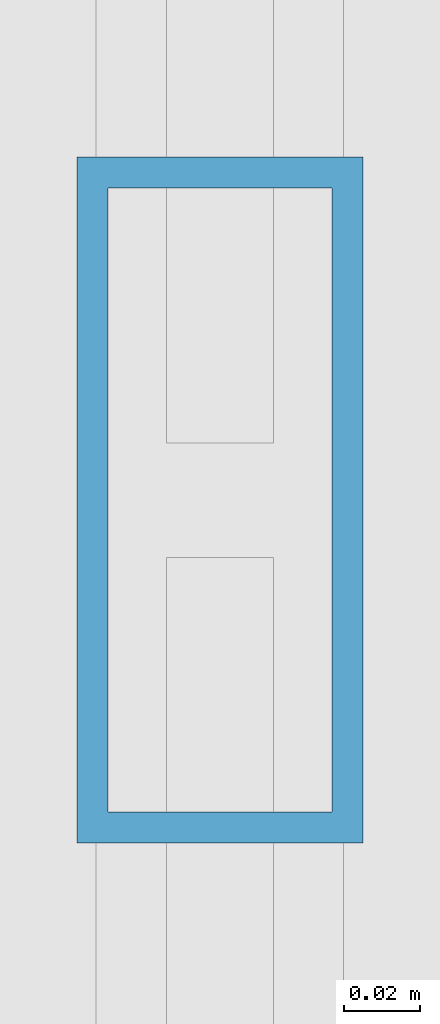
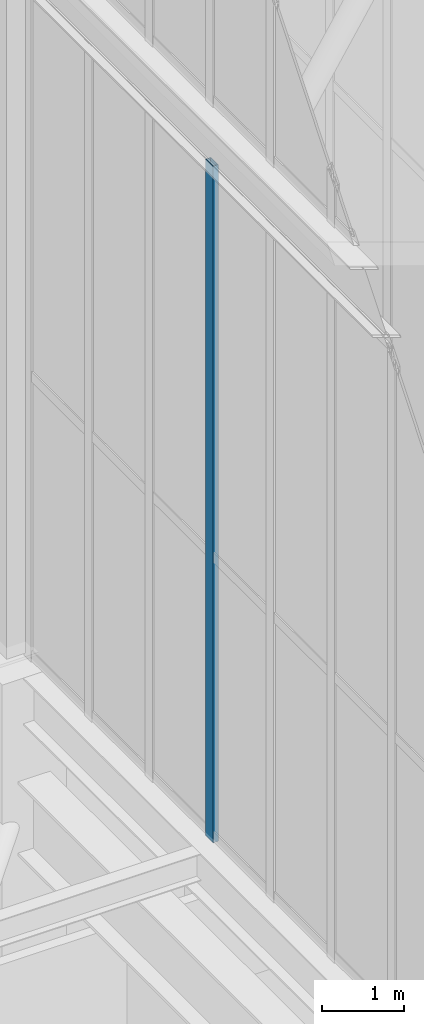
# One storey, part 64 of 135: 1 member, 1 element without a shape of its own.
"""IFC4 building model written with IfcOpenShell, lengths in metres."""

from ifc_helpers import new_model, si_unit, direction, frame, origin, origin_2d, place, context, subcontext, project, spatial, hollow_rectangle, extrude, source, transform, mapped, material, layer, layer_set, material_profile, profile_set, type_object, element, aggregate, save


model = new_model("IFC4")

# Units and contexts
model_context = context("Model", 3, precision=1e-05, world=origin(), true_north=direction((0.0, 1.0)))
body_context = subcontext(model_context, "Body", "Model", "MODEL_VIEW")
ifc_project = project(units=[si_unit("LENGTHUNIT", "METRE"), si_unit("AREAUNIT", "SQUARE_METRE"), si_unit("VOLUMEUNIT", "CUBIC_METRE"), si_unit("PLANEANGLEUNIT", "RADIAN"), si_unit("MASSUNIT", "GRAM", prefix="KILO")], contexts=[model_context])

# Site, building, storey
site_placement = place(None, origin())
site = spatial("IfcSite", under=ifc_project, at=site_placement, CompositionType="ELEMENT")
building_placement = place(site_placement, origin())
building = spatial("IfcBuilding", under=site, at=building_placement, Name="Giltprow Tower", CompositionType="ELEMENT")
storey_placement = place(building_placement, frame((0.0, 0.0, 352.699951171875)))
storey = spatial("IfcBuildingStorey", under=building, at=storey_placement, Name="L92", CompositionType="ELEMENT", Elevation=352.699951171875)

# Curtain wall, member
ifc_material = material(Name="Anodized bronze", Category="metal")
ifc_layer = layer(ifc_material, 0.179931640625, Name="Anodized bronze")
ifc_layer_set = layer_set([ifc_layer], Name="Anodized bronze")
curtain_wall_type = type_object("IfcCurtainWallType", Name="CW-CROWN-LANTERN", PredefinedType="NOTDEFINED", material=ifc_layer_set)
curtain_wall_placement = place(storey_placement, origin())
curtain_wall = element("IfcCurtainWall", 1, at=curtain_wall_placement, inside=storey, type_object=curtain_wall_type, Name="Crown East Lower Lantern Glazing 6", PredefinedType="NOTDEFINED")
ifc_material_profile = material_profile(ifc_material, hollow_rectangle(XDim=0.074951171875, YDim=0.179931640625, WallThickness=0.008056640625, at=origin_2d()), Name="RHS 180x75x8")
ifc_profile_set = profile_set([ifc_material_profile], Name="Anodized bronze")
member_type = type_object("IfcMemberType", Name="CW-MULLION-180x75", PredefinedType="MULLION", material=ifc_profile_set)
shared_shape = source(origin(), body_context, "Body", "SweptSolid", [
    extrude(hollow_rectangle(XDim=0.074951171875, YDim=0.179931640625, WallThickness=0.008056640625, at=origin_2d()), origin(), (0.0, 0.0, 1.0), 10.030029296875),
])
member_placement = place(storey_placement, frame((44.300048828125, 32.68310546875, 6.35009765625), z_axis=(0.0, 0.0, 1.0), x_axis=(1.0, 0.0, 0.0)))
member = element("IfcMember", 2, at=member_placement, type_object=member_type, Name="Crown East Lower Lantern Glazing 6 Mullion 4", PredefinedType="MULLION", context=body_context, shape_type="MappedRepresentation", body=[
    mapped(shared_shape, transform((0.0, 0.0, 0.0), x_axis=(1.0, 0.0, 0.0), y_axis=(0.0, 1.0, 0.0), z_axis=(0.0, 0.0, 1.0), scale=1.0)),
])
aggregate(curtain_wall, [member])

save(model, "model.ifc")
